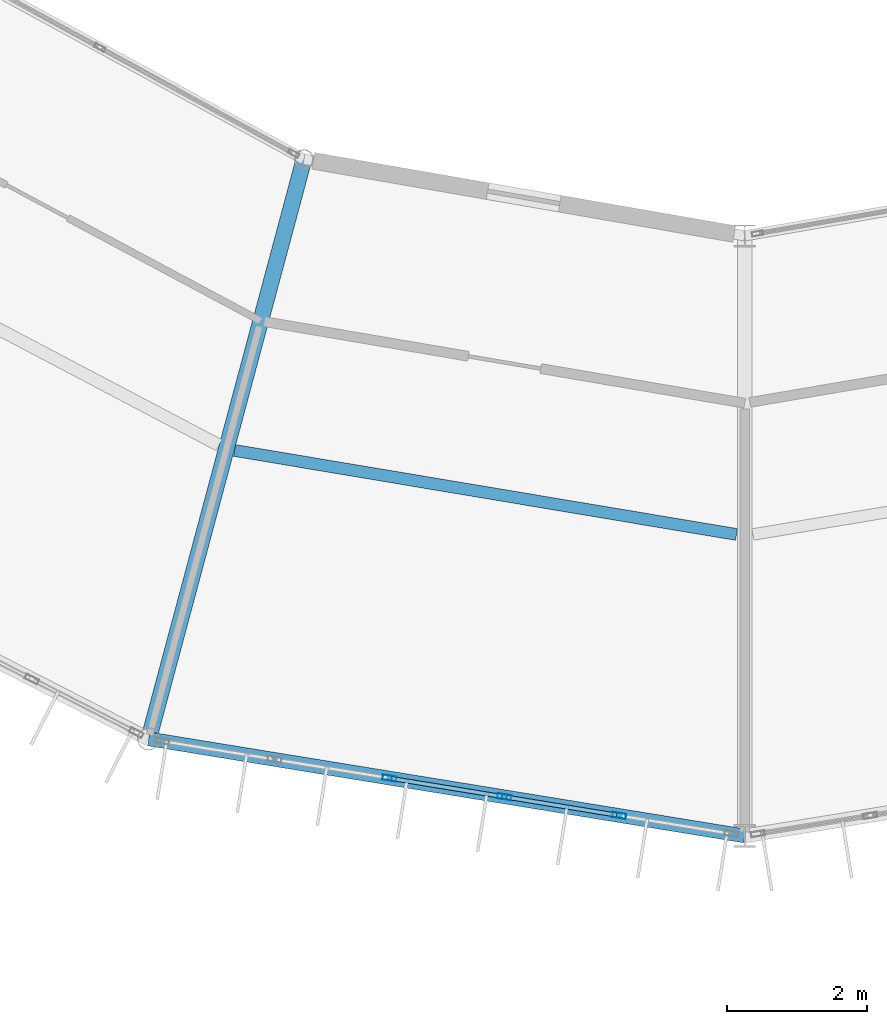
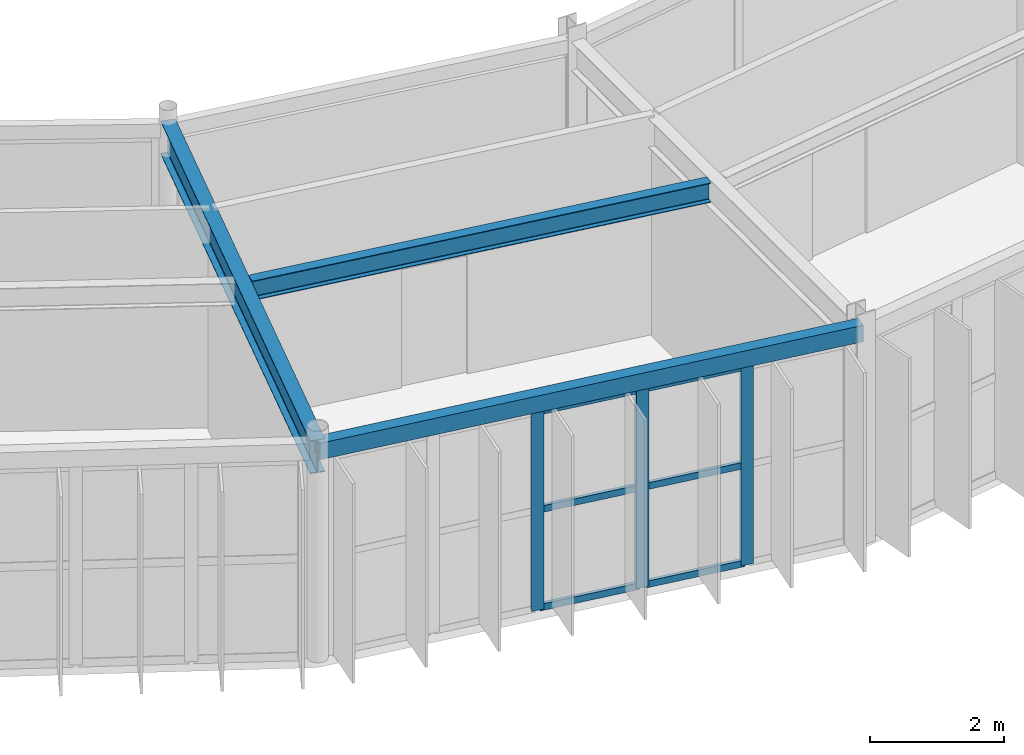
# One storey, part 25 of 148: 9 members, 3 beams, 1 element without a shape of its own.
"""IFC4 building model written with IfcOpenShell, lengths in metres."""

from ifc_helpers import new_model, si_unit, direction, frame, origin, origin_2d, place, context, subcontext, project, spatial, hollow_rectangle, i_section, extrude, material, material_profile, profile_set, type_object, element, aggregate, save


model = new_model("IFC4")

# Units and contexts
model_context = context("Model", 3, precision=1e-05, world=origin(), true_north=direction((0.0, 1.0)))
body_context = subcontext(model_context, "Body", "Model", "MODEL_VIEW")
ifc_project = project(units=[si_unit("LENGTHUNIT", "METRE"), si_unit("AREAUNIT", "SQUARE_METRE"), si_unit("VOLUMEUNIT", "CUBIC_METRE"), si_unit("PLANEANGLEUNIT", "RADIAN"), si_unit("MASSUNIT", "GRAM", prefix="KILO")], contexts=[model_context])

# Site, building, storey
site_placement = place(None, origin())
site = spatial("IfcSite", under=ifc_project, at=site_placement, CompositionType="ELEMENT")
building_placement = place(site_placement, origin())
building = spatial("IfcBuilding", under=site, at=building_placement, Name="Karori Crest Natural Sciences Institute", CompositionType="ELEMENT")
storey_placement = place(building_placement, frame((0.0, 0.0, 4.89990234375)))
storey = spatial("IfcBuildingStorey", under=building, at=storey_placement, Name="L01", CompositionType="ELEMENT", Elevation=4.89990234375)

# Beams
ifc_material_1 = material(Name="Hollow structural steel AS/NZS 1163 Grade C350", Category="steel")
ifc_material_profile_1 = material_profile(ifc_material_1, hollow_rectangle(XDim=0.199951171875, YDim=0.300048828125, WallThickness=0.010009765625, at=origin_2d()), Name="RHS300x200x10")
ifc_profile_set_1 = profile_set([ifc_material_profile_1], Name="Hollow structural steel AS/NZS 1163 Grade C350")
beam_type_1 = type_object("IfcBeamType", Name="BT-15", PredefinedType="SPANDREL", material=ifc_profile_set_1)
beam_1_placement = place(storey_placement, frame((57.85888671875, 10.490234375, 3.7900390625), z_axis=(0.987012055933, -0.160646199591, 0.0), x_axis=(0.160646199591, 0.987012055933, 0.0)))
element("IfcBeam", 1, at=beam_1_placement, inside=storey, type_object=beam_type_1, Name="Beam B-0244", PredefinedType="SPANDREL", context=body_context, shape_type="SweptSolid", body=[
    extrude(hollow_rectangle(XDim=0.199951171875, YDim=0.300048828125, WallThickness=0.010009765625, at=origin_2d()), origin(), (0.0, 0.0, 1.0), 8.6533203125),
])
ifc_material_2 = material(Name="Structural steel AS/NZS 3679.1 Grade 350", Category="steel")
ifc_material_profile_2 = material_profile(ifc_material_2, i_section(OverallWidth=0.22802734375, OverallDepth=0.60205078125, WebThickness=0.010498046875, FlangeThickness=0.014892578125, FilletRadius=0.013916015625, at=origin_2d()), Name="610UB101")
ifc_profile_set_2 = profile_set([ifc_material_profile_2], Name="Structural steel AS/NZS 3679.1 Grade 350")
beam_type_2 = type_object("IfcBeamType", Name="BT-27", PredefinedType="BEAM", material=ifc_profile_set_2)
beam_2_placement = place(storey_placement, frame((60.084716796875, 18.797119140625, 3.63916015625), z_axis=(-0.258819806009, -0.965925622404, 0.0), x_axis=(0.965925622404, -0.258819806009, 0.0)))
element("IfcBeam", 2, at=beam_2_placement, inside=storey, type_object=beam_type_2, Name="Beam B-0246", PredefinedType="BEAM", context=body_context, shape_type="SweptSolid", body=[
    extrude(i_section(OverallWidth=0.22802734375, OverallDepth=0.60205078125, WebThickness=0.010498046875, FlangeThickness=0.014892578125, FilletRadius=0.013916015625, at=origin_2d()), origin(), (0.0, 0.0, 1.0), 8.599853515625),
])
ifc_material_profile_3 = material_profile(ifc_material_2, i_section(OverallWidth=0.1708984375, OverallDepth=0.35595703125, WebThickness=0.00732421875, FlangeThickness=0.011474609375, FilletRadius=0.010986328125, at=origin_2d()), Name="360UB50.7")
ifc_profile_set_3 = profile_set([ifc_material_profile_3], Name="Structural steel AS/NZS 3679.1 Grade 350")
beam_type_3 = type_object("IfcBeamType", Name="BT-30", PredefinedType="BEAM", material=ifc_profile_set_3)
beam_3_placement = place(storey_placement, frame((59.09033203125, 14.623779296875, 3.76220703125), z_axis=(0.986275115433, -0.165110256126, 0.0), x_axis=(0.165110256126, 0.986275115433, 0.0)))
element("IfcBeam", 3, at=beam_3_placement, inside=storey, type_object=beam_type_3, Name="Beam B-0247", PredefinedType="BEAM", context=body_context, shape_type="SweptSolid", body=[
    extrude(i_section(OverallWidth=0.1708984375, OverallDepth=0.35595703125, WebThickness=0.00732421875, FlangeThickness=0.011474609375, FilletRadius=0.010986328125, at=origin_2d()), origin(), (0.0, 0.0, 1.0), 7.291259765625),
])

# Curtain wall, members
ifc_material_3 = material(Name="Anodised architectural aluminium 6063-T6", Category="aluminium")
curtain_wall_type = type_object("IfcCurtainWallType", Name="CWT-08", PredefinedType="NOTDEFINED", material=ifc_material_3)
curtain_wall_placement = place(storey_placement, origin())
curtain_wall = element("IfcCurtainWall", 4, at=curtain_wall_placement, inside=storey, type_object=curtain_wall_type, Name="Curtain wall CW-0055", PredefinedType="NOTDEFINED")
ifc_material_profile_4 = material_profile(ifc_material_3, hollow_rectangle(XDim=0.074951171875, YDim=0.199951171875, WallThickness=0.0048828125, at=origin_2d()), Name="CWM200x75x5")
ifc_profile_set_4 = profile_set([ifc_material_profile_4], Name="Anodised architectural aluminium 6063-T6")
member_type_1 = type_object("IfcMemberType", Name="CWM-02", PredefinedType="MULLION", material=ifc_profile_set_4)
member_1_placement = place(storey_placement, frame((64.6005859375, 9.392822265625, 0.0), z_axis=(0.0, 0.0, 1.0), x_axis=(-0.160651962718, -0.987011117908, 0.0)))
member_1 = element("IfcMember", 5, at=member_1_placement, type_object=member_type_1, Name="CW-0055 mullion 2", PredefinedType="MULLION", context=body_context, shape_type="SweptSolid", body=[
    extrude(hollow_rectangle(XDim=0.074951171875, YDim=0.199951171875, WallThickness=0.0048828125, at=origin_2d()), origin(), (0.0, 0.0, 1.0), 3.625),
])
member_2_placement = place(storey_placement, frame((62.95458984375, 9.660888671875, 0.0), z_axis=(0.0, 0.0, 1.0), x_axis=(-0.160651962718, -0.987011117908, 0.0)))
member_2 = element("IfcMember", 6, at=member_2_placement, type_object=member_type_1, Name="CW-0055 mullion 3", PredefinedType="MULLION", context=body_context, shape_type="SweptSolid", body=[
    extrude(hollow_rectangle(XDim=0.074951171875, YDim=0.199951171875, WallThickness=0.0048828125, at=origin_2d()), origin(), (0.0, 0.0, 1.0), 3.625),
])
member_3_placement = place(storey_placement, frame((61.308837890625, 9.9287109375, 0.0), z_axis=(0.0, 0.0, 1.0), x_axis=(-0.160651962718, -0.987011117908, 0.0)))
member_3 = element("IfcMember", 7, at=member_3_placement, type_object=member_type_1, Name="CW-0055 mullion 4", PredefinedType="MULLION", context=body_context, shape_type="SweptSolid", body=[
    extrude(hollow_rectangle(XDim=0.074951171875, YDim=0.199951171875, WallThickness=0.0048828125, at=origin_2d()), origin(), (0.0, 0.0, 1.0), 3.625),
])
ifc_material_profile_5 = material_profile(ifc_material_3, hollow_rectangle(XDim=0.06005859375, YDim=0.1201171875, WallThickness=0.00390625, at=origin_2d()), Name="CWT120x60x4")
ifc_profile_set_5 = profile_set([ifc_material_profile_5], Name="Anodised architectural aluminium 6063-T6")
member_type_2 = type_object("IfcMemberType", Name="CWT-TR1", PredefinedType="USERDEFINED", material=ifc_profile_set_5)
member_4_placement = place(storey_placement, frame((64.5634765625, 9.39892578125, 0.030029296875), z_axis=(-0.987008400747, 0.16066865548, 0.0), x_axis=(-0.16066865548, -0.987008400747, 0.0)))
member_4 = element("IfcMember", 8, at=member_4_placement, type_object=member_type_2, Name="CW-0055 transom 2.1", ObjectType="TRANSOM", PredefinedType="USERDEFINED", context=body_context, shape_type="SweptSolid", body=[
    extrude(hollow_rectangle(XDim=0.06005859375, YDim=0.1201171875, WallThickness=0.00390625, at=origin_2d()), origin(), (0.0, 0.0, 1.0), 1.592529296875),
])
member_5_placement = place(storey_placement, frame((64.5634765625, 9.39892578125, 1.8125), z_axis=(-0.987008400747, 0.16066865548, 0.0), x_axis=(-0.16066865548, -0.987008400747, 0.0)))
member_5 = element("IfcMember", 9, at=member_5_placement, type_object=member_type_2, Name="CW-0055 transom 2.2", ObjectType="TRANSOM", PredefinedType="USERDEFINED", context=body_context, shape_type="SweptSolid", body=[
    extrude(hollow_rectangle(XDim=0.06005859375, YDim=0.1201171875, WallThickness=0.00390625, at=origin_2d()), origin(), (0.0, 0.0, 1.0), 1.592529296875),
])
member_6_placement = place(storey_placement, frame((64.5634765625, 9.39892578125, 3.59521484375), z_axis=(-0.987008400747, 0.16066865548, 0.0), x_axis=(-0.16066865548, -0.987008400747, 0.0)))
member_6 = element("IfcMember", 10, at=member_6_placement, type_object=member_type_2, Name="CW-0055 transom 2.3", ObjectType="TRANSOM", PredefinedType="USERDEFINED", context=body_context, shape_type="SweptSolid", body=[
    extrude(hollow_rectangle(XDim=0.06005859375, YDim=0.1201171875, WallThickness=0.00390625, at=origin_2d()), origin(), (0.0, 0.0, 1.0), 1.592529296875),
])
member_7_placement = place(storey_placement, frame((62.917724609375, 9.666748046875, 0.030029296875), z_axis=(-0.987012357452, 0.160644347043, 0.0), x_axis=(-0.160644347043, -0.987012357452, 0.0)))
member_7 = element("IfcMember", 11, at=member_7_placement, type_object=member_type_2, Name="CW-0055 transom 3.1", ObjectType="TRANSOM", PredefinedType="USERDEFINED", context=body_context, shape_type="SweptSolid", body=[
    extrude(hollow_rectangle(XDim=0.06005859375, YDim=0.1201171875, WallThickness=0.00390625, at=origin_2d()), origin(), (0.0, 0.0, 1.0), 1.5927734375),
])
member_8_placement = place(storey_placement, frame((62.917724609375, 9.666748046875, 1.8125), z_axis=(-0.987012357452, 0.160644347043, 0.0), x_axis=(-0.160644347043, -0.987012357452, 0.0)))
member_8 = element("IfcMember", 12, at=member_8_placement, type_object=member_type_2, Name="CW-0055 transom 3.2", ObjectType="TRANSOM", PredefinedType="USERDEFINED", context=body_context, shape_type="SweptSolid", body=[
    extrude(hollow_rectangle(XDim=0.06005859375, YDim=0.1201171875, WallThickness=0.00390625, at=origin_2d()), origin(), (0.0, 0.0, 1.0), 1.5927734375),
])
member_9_placement = place(storey_placement, frame((62.917724609375, 9.666748046875, 3.59521484375), z_axis=(-0.987012357452, 0.160644347043, 0.0), x_axis=(-0.160644347043, -0.987012357452, 0.0)))
member_9 = element("IfcMember", 13, at=member_9_placement, type_object=member_type_2, Name="CW-0055 transom 3.3", ObjectType="TRANSOM", PredefinedType="USERDEFINED", context=body_context, shape_type="SweptSolid", body=[
    extrude(hollow_rectangle(XDim=0.06005859375, YDim=0.1201171875, WallThickness=0.00390625, at=origin_2d()), origin(), (0.0, 0.0, 1.0), 1.5927734375),
])
aggregate(curtain_wall, [member_1, member_2, member_3, member_4, member_5, member_6, member_7, member_8, member_9])

save(model, "model.ifc")
